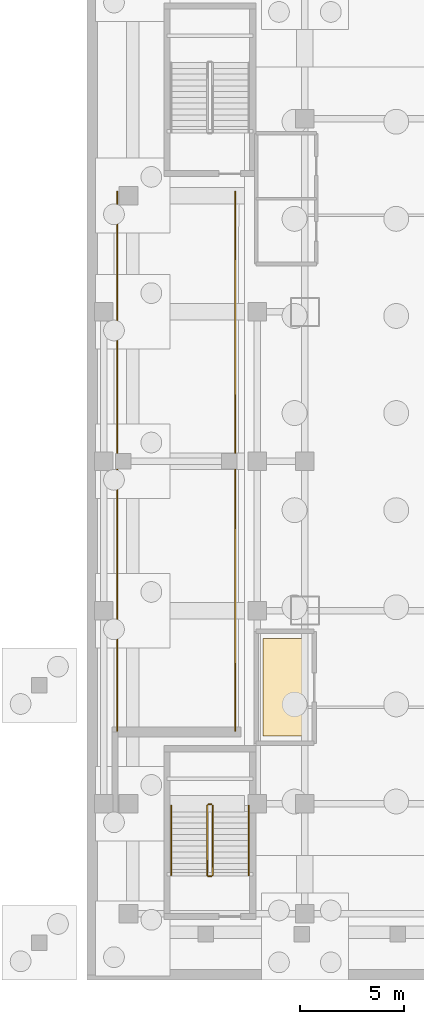
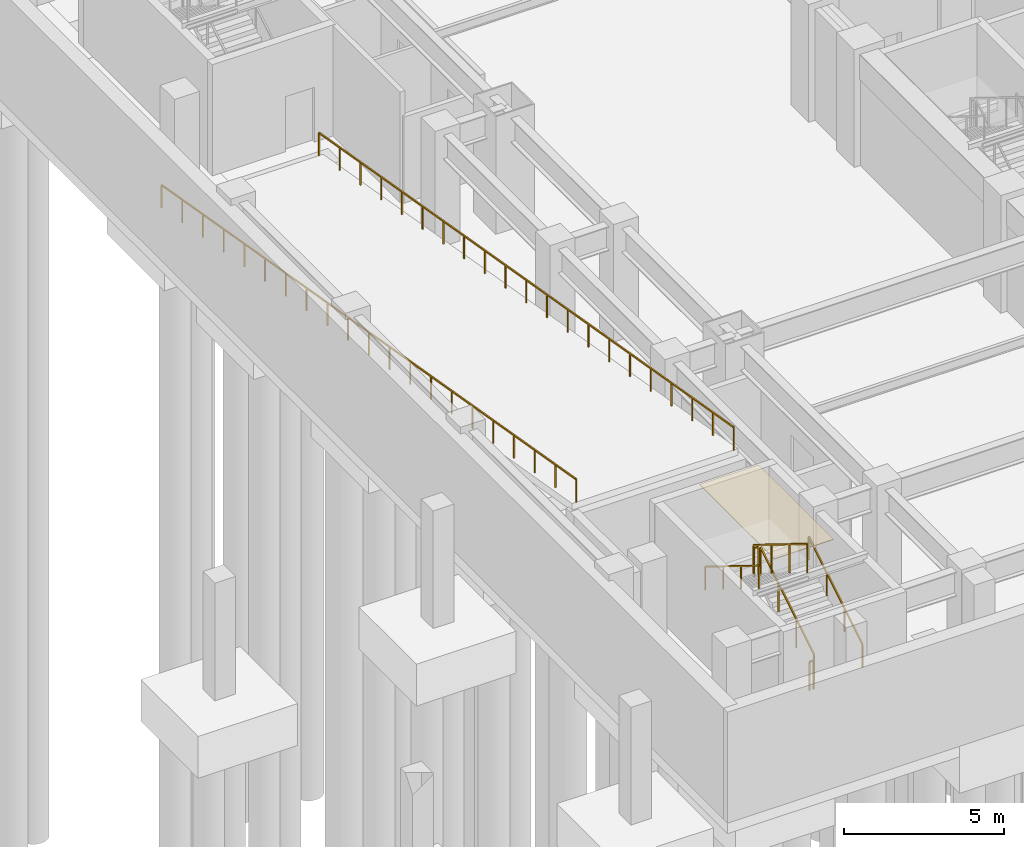
# One storey, part 8 of 12: 8 railings, 1 covering.
"""IFC4 building model written with IfcOpenShell, lengths in metres."""

from ifc_helpers import new_model, si_unit, direction, frame, origin, origin_2d, place, context, subcontext, project, spatial, polyline, rectangle, outline, extrude, material, layer, layer_set, type_object, element, save


model = new_model("IFC4")

# Units and contexts
model_context = context("Model", 3, precision=1e-05, world=origin(), true_north=direction((0.0, 1.0)))
body_context = subcontext(model_context, "Body", "Model", "MODEL_VIEW")
ifc_project = project(units=[si_unit("LENGTHUNIT", "METRE"), si_unit("AREAUNIT", "SQUARE_METRE"), si_unit("VOLUMEUNIT", "CUBIC_METRE"), si_unit("PLANEANGLEUNIT", "RADIAN"), si_unit("MASSUNIT", "GRAM", prefix="KILO")], contexts=[model_context])

# Site, building, storey
site_placement = place(None, origin())
site = spatial("IfcSite", under=ifc_project, at=site_placement, CompositionType="ELEMENT")
building_placement = place(site_placement, origin())
building = spatial("IfcBuilding", under=site, at=building_placement, Name="Vantalir Tower", CompositionType="ELEMENT")
storey_placement = place(building_placement, frame((0.0, 0.0, -9.0)))
storey = spatial("IfcBuildingStorey", under=building, at=storey_placement, Name="B02", CompositionType="ELEMENT", Elevation=-9.0)

# Covering
ifc_material_1 = material(Name="Tropical teak timber and terrazzo floor finish", Category="wood")
ifc_layer = layer(ifc_material_1, 0.02490234375)
ifc_layer_set = layer_set([ifc_layer], Name="Tropical teak timber and terrazzo floor finish")
covering_type = type_object("IfcCoveringType", Name="COV-TIMBER-STONE-25", PredefinedType="FLOORING", material=ifc_layer_set)
covering_placement = place(storey_placement, origin())
element("IfcCovering", 1, at=covering_placement, inside=storey, type_object=covering_type, Name="B02 Pump and Water Treatment Plant Floor Finish", PredefinedType="FLOORING", context=body_context, shape_type="SweptSolid", body=[
    extrude(outline(polyline([(10.6201171875, 16.449951171875), (8.47998046875, 16.449951171875), (8.47998046875, 11.75), (10.6201171875, 11.75), (10.6201171875, 16.449951171875)])), origin(), (0.0, 0.0, 1.0), 0.02490234375),
])

# Railings
ifc_material_2 = material(Name="Anodised aluminium and stainless steel guard", Category="steel")
railing_type_1 = type_object("IfcRailingType", Name="RAL-GUARD-1120", PredefinedType="GUARDRAIL", material=ifc_material_2)
railing_1_placement = place(storey_placement, frame((6.050048828125, 5.050048828125, 0.173095703125)))
element("IfcRailing", 2, at=railing_1_placement, inside=storey, type_object=railing_type_1, Name="B02 PST3 stair guard 1", PredefinedType="GUARDRAIL", context=body_context, shape_type="SweptSolid", body=[
    extrude(rectangle(XDim=0.048095703125, YDim=0.048095703125, at=origin_2d()), frame((0.0, 0.0, 1.09619140625), z_axis=(0.0, 0.850606129759, 0.525803396734), x_axis=(-1.0, 0.0, 0.0)), (0.0, 0.0, 1.0), 3.949951171875),
    extrude(rectangle(XDim=0.0419921875, YDim=0.0419921875, at=origin_2d()), origin(), (0.0, 0.0, 1.0), 1.072021484375),
    extrude(rectangle(XDim=0.0419921875, YDim=0.0419921875, at=origin_2d()), frame((0.0, 1.119873046875, 0.6923828125)), (0.0, 0.0, 1.0), 1.072021484375),
    extrude(rectangle(XDim=0.0419921875, YDim=0.0419921875, at=origin_2d()), frame((0.0, 2.239990234375, 1.384521484375)), (0.0, 0.0, 1.0), 1.072021484375),
    extrude(rectangle(XDim=0.0419921875, YDim=0.0419921875, at=origin_2d()), frame((0.0, 3.35986328125, 2.076904296875)), (0.0, 0.0, 1.0), 1.072021484375),
])
railing_2_placement = place(storey_placement, frame((6.0, 8.4599609375, 2.25)))
element("IfcRailing", 3, at=railing_2_placement, inside=storey, type_object=railing_type_1, Name="B02 PST3 stair guard 2", PredefinedType="GUARDRAIL", context=body_context, shape_type="SweptSolid", body=[
    extrude(rectangle(XDim=0.048095703125, YDim=0.048095703125, at=origin_2d()), frame((0.0, 0.0, 1.09619140625), z_axis=(-1.0, 0.0, 0.0), x_axis=(0.0, -1.0, 0.0)), (0.0, 0.0, 1.0), 0.14990234375),
    extrude(rectangle(XDim=0.0419921875, YDim=0.0419921875, at=origin_2d()), origin(), (0.0, 0.0, 1.0), 1.072021484375),
    extrude(rectangle(XDim=0.0419921875, YDim=0.0419921875, at=origin_2d()), frame((-0.14990234375, 0.0, 0.0)), (0.0, 0.0, 1.0), 1.072021484375),
])
railing_3_placement = place(storey_placement, frame((5.800048828125, 8.409912109375, 2.423095703125)))
element("IfcRailing", 4, at=railing_3_placement, inside=storey, type_object=railing_type_1, Name="B02 PST3 stair guard 3", PredefinedType="GUARDRAIL", context=body_context, shape_type="SweptSolid", body=[
    extrude(rectangle(XDim=0.048095703125, YDim=0.048095703125, at=origin_2d()), frame((0.0, 0.0, 1.09619140625), z_axis=(0.0, -0.850606129759, 0.525803396734), x_axis=(1.0, 0.0, 0.0)), (0.0, 0.0, 1.0), 3.949951171875),
    extrude(rectangle(XDim=0.0419921875, YDim=0.0419921875, at=origin_2d()), origin(), (0.0, 0.0, 1.0), 1.072021484375),
    extrude(rectangle(XDim=0.0419921875, YDim=0.0419921875, at=origin_2d()), frame((0.0, -1.119873046875, 0.6923828125)), (0.0, 0.0, 1.0), 1.072021484375),
    extrude(rectangle(XDim=0.0419921875, YDim=0.0419921875, at=origin_2d()), frame((0.0, -2.239990234375, 1.384521484375)), (0.0, 0.0, 1.0), 1.072021484375),
    extrude(rectangle(XDim=0.0419921875, YDim=0.0419921875, at=origin_2d()), frame((0.0, -3.35986328125, 2.076904296875)), (0.0, 0.0, 1.0), 1.072021484375),
])
railing_4_placement = place(storey_placement, frame((6.0, 5.0, 0.0)))
element("IfcRailing", 5, at=railing_4_placement, inside=storey, type_object=railing_type_1, Name="B02 PST3 stair guard 4", PredefinedType="GUARDRAIL", context=body_context, shape_type="SweptSolid", body=[
    extrude(rectangle(XDim=0.048095703125, YDim=0.048095703125, at=origin_2d()), frame((0.0, 0.0, 1.09619140625), z_axis=(-1.0, 0.0, 0.0), x_axis=(0.0, -1.0, 0.0)), (0.0, 0.0, 1.0), 0.14990234375),
    extrude(rectangle(XDim=0.0419921875, YDim=0.0419921875, at=origin_2d()), origin(), (0.0, 0.0, 1.0), 1.072021484375),
    extrude(rectangle(XDim=0.0419921875, YDim=0.0419921875, at=origin_2d()), frame((-0.14990234375, 0.0, 0.0)), (0.0, 0.0, 1.0), 1.072021484375),
])
ifc_material_3 = material(Name="Brushed stainless steel tubular handrail", Category="steel")
railing_type_2 = type_object("IfcRailingType", Name="RAL-HANDRAIL-900", PredefinedType="HANDRAIL", material=ifc_material_3)
railing_5_placement = place(storey_placement, frame((7.800048828125, 5.050048828125, 0.173095703125)))
element("IfcRailing", 6, at=railing_5_placement, inside=storey, type_object=railing_type_2, Name="B02 PST3 stair handrail 1", PredefinedType="HANDRAIL", context=body_context, shape_type="SweptSolid", body=[
    extrude(rectangle(XDim=0.048095703125, YDim=0.048095703125, at=origin_2d()), frame((0.0, 0.0, 0.8759765625), z_axis=(0.0, 0.850606129759, 0.525803396734), x_axis=(-1.0, 0.0, 0.0)), (0.0, 0.0, 1.0), 3.949951171875),
    extrude(rectangle(XDim=0.0419921875, YDim=0.0419921875, at=origin_2d()), origin(), (0.0, 0.0, 1.0), 0.851806640625),
    extrude(rectangle(XDim=0.0419921875, YDim=0.0419921875, at=origin_2d()), frame((0.0, 1.119873046875, 0.6923828125)), (0.0, 0.0, 1.0), 0.851806640625),
    extrude(rectangle(XDim=0.0419921875, YDim=0.0419921875, at=origin_2d()), frame((0.0, 2.239990234375, 1.384521484375)), (0.0, 0.0, 1.0), 0.851806640625),
    extrude(rectangle(XDim=0.0419921875, YDim=0.0419921875, at=origin_2d()), frame((0.0, 3.35986328125, 2.076904296875)), (0.0, 0.0, 1.0), 0.851806640625),
])
railing_6_placement = place(storey_placement, frame((4.050048828125, 8.409912109375, 2.423095703125)))
element("IfcRailing", 7, at=railing_6_placement, inside=storey, type_object=railing_type_2, Name="B02 PST3 stair handrail 2", PredefinedType="HANDRAIL", context=body_context, shape_type="SweptSolid", body=[
    extrude(rectangle(XDim=0.048095703125, YDim=0.048095703125, at=origin_2d()), frame((0.0, 0.0, 0.8759765625), z_axis=(0.0, -0.850606129759, 0.525803396734), x_axis=(1.0, 0.0, 0.0)), (0.0, 0.0, 1.0), 3.949951171875),
    extrude(rectangle(XDim=0.0419921875, YDim=0.0419921875, at=origin_2d()), origin(), (0.0, 0.0, 1.0), 0.851806640625),
    extrude(rectangle(XDim=0.0419921875, YDim=0.0419921875, at=origin_2d()), frame((0.0, -1.119873046875, 0.6923828125)), (0.0, 0.0, 1.0), 0.851806640625),
    extrude(rectangle(XDim=0.0419921875, YDim=0.0419921875, at=origin_2d()), frame((0.0, -2.239990234375, 1.384521484375)), (0.0, 0.0, 1.0), 0.851806640625),
    extrude(rectangle(XDim=0.0419921875, YDim=0.0419921875, at=origin_2d()), frame((0.0, -3.35986328125, 2.076904296875)), (0.0, 0.0, 1.0), 0.851806640625),
])
railing_7_placement = place(storey_placement, frame((1.449951171875, 37.9990234375, 0.0)))
element("IfcRailing", 8, at=railing_7_placement, inside=storey, type_object=railing_type_2, Name="Car Park Vehicle Ramp Slab VR-2 B02 to B01 Kerb Rail W", PredefinedType="HANDRAIL", context=body_context, shape_type="SweptSolid", body=[
    extrude(rectangle(XDim=0.048095703125, YDim=0.048095703125, at=origin_2d()), frame((0.0, 0.0, 0.8759765625), z_axis=(0.0, -0.985348352802, 0.170553873102), x_axis=(1.0, 0.0, 0.0)), (0.0, 0.0, 1.0), 26.384521484375),
    extrude(rectangle(XDim=0.0419921875, YDim=0.0419921875, at=origin_2d()), origin(), (0.0, 0.0, 1.0), 0.851806640625),
    extrude(rectangle(XDim=0.0419921875, YDim=0.0419921875, at=origin_2d()), frame((0.0, -1.2998046875, 0.22509765625)), (0.0, 0.0, 1.0), 0.851806640625),
    extrude(rectangle(XDim=0.0419921875, YDim=0.0419921875, at=origin_2d()), frame((0.0, -2.599853515625, 0.449951171875)), (0.0, 0.0, 1.0), 0.851806640625),
    extrude(rectangle(XDim=0.0419921875, YDim=0.0419921875, at=origin_2d()), frame((0.0, -3.899658203125, 0.675048828125)), (0.0, 0.0, 1.0), 0.851806640625),
    extrude(rectangle(XDim=0.0419921875, YDim=0.0419921875, at=origin_2d()), frame((0.0, -5.19970703125, 0.89990234375)), (0.0, 0.0, 1.0), 0.851806640625),
    extrude(rectangle(XDim=0.0419921875, YDim=0.0419921875, at=origin_2d()), frame((0.0, -6.49951171875, 1.125)), (0.0, 0.0, 1.0), 0.851806640625),
    extrude(rectangle(XDim=0.0419921875, YDim=0.0419921875, at=origin_2d()), frame((0.0, -7.79931640625, 1.35009765625)), (0.0, 0.0, 1.0), 0.851806640625),
    extrude(rectangle(XDim=0.0419921875, YDim=0.0419921875, at=origin_2d()), frame((0.0, -9.099365234375, 1.574951171875)), (0.0, 0.0, 1.0), 0.851806640625),
    extrude(rectangle(XDim=0.0419921875, YDim=0.0419921875, at=origin_2d()), frame((0.0, -10.399169921875, 1.800048828125)), (0.0, 0.0, 1.0), 0.851806640625),
    extrude(rectangle(XDim=0.0419921875, YDim=0.0419921875, at=origin_2d()), frame((0.0, -11.69921875, 2.02490234375)), (0.0, 0.0, 1.0), 0.851806640625),
    extrude(rectangle(XDim=0.0419921875, YDim=0.0419921875, at=origin_2d()), frame((0.0, -12.9990234375, 2.25)), (0.0, 0.0, 1.0), 0.851806640625),
    extrude(rectangle(XDim=0.0419921875, YDim=0.0419921875, at=origin_2d()), frame((0.0, -14.298828125, 2.47509765625)), (0.0, 0.0, 1.0), 0.851806640625),
    extrude(rectangle(XDim=0.0419921875, YDim=0.0419921875, at=origin_2d()), frame((0.0, -15.598876953125, 2.699951171875)), (0.0, 0.0, 1.0), 0.851806640625),
    extrude(rectangle(XDim=0.0419921875, YDim=0.0419921875, at=origin_2d()), frame((0.0, -16.898681640625, 2.925048828125)), (0.0, 0.0, 1.0), 0.851806640625),
    extrude(rectangle(XDim=0.0419921875, YDim=0.0419921875, at=origin_2d()), frame((0.0, -18.19873046875, 3.14990234375)), (0.0, 0.0, 1.0), 0.851806640625),
    extrude(rectangle(XDim=0.0419921875, YDim=0.0419921875, at=origin_2d()), frame((0.0, -19.49853515625, 3.375)), (0.0, 0.0, 1.0), 0.851806640625),
    extrude(rectangle(XDim=0.0419921875, YDim=0.0419921875, at=origin_2d()), frame((0.0, -20.79833984375, 3.60009765625)), (0.0, 0.0, 1.0), 0.851806640625),
    extrude(rectangle(XDim=0.0419921875, YDim=0.0419921875, at=origin_2d()), frame((0.0, -22.098388671875, 3.824951171875)), (0.0, 0.0, 1.0), 0.851806640625),
    extrude(rectangle(XDim=0.0419921875, YDim=0.0419921875, at=origin_2d()), frame((0.0, -23.398193359375, 4.050048828125)), (0.0, 0.0, 1.0), 0.851806640625),
    extrude(rectangle(XDim=0.0419921875, YDim=0.0419921875, at=origin_2d()), frame((0.0, -24.6982421875, 4.27490234375)), (0.0, 0.0, 1.0), 0.851806640625),
    extrude(rectangle(XDim=0.0419921875, YDim=0.0419921875, at=origin_2d()), frame((0.0, -25.998046875, 4.5)), (0.0, 0.0, 1.0), 0.851806640625),
])
railing_8_placement = place(storey_placement, frame((7.14990234375, 37.9990234375, 0.0)))
element("IfcRailing", 9, at=railing_8_placement, inside=storey, type_object=railing_type_2, Name="Car Park Vehicle Ramp Slab VR-2 B02 to B01 Kerb Rail E", PredefinedType="HANDRAIL", context=body_context, shape_type="SweptSolid", body=[
    extrude(rectangle(XDim=0.048095703125, YDim=0.048095703125, at=origin_2d()), frame((0.0, 0.0, 0.8759765625), z_axis=(0.0, -0.985348352802, 0.170553873102), x_axis=(1.0, 0.0, 0.0)), (0.0, 0.0, 1.0), 26.384521484375),
    extrude(rectangle(XDim=0.0419921875, YDim=0.0419921875, at=origin_2d()), origin(), (0.0, 0.0, 1.0), 0.851806640625),
    extrude(rectangle(XDim=0.0419921875, YDim=0.0419921875, at=origin_2d()), frame((0.0, -1.2998046875, 0.22509765625)), (0.0, 0.0, 1.0), 0.851806640625),
    extrude(rectangle(XDim=0.0419921875, YDim=0.0419921875, at=origin_2d()), frame((0.0, -2.599853515625, 0.449951171875)), (0.0, 0.0, 1.0), 0.851806640625),
    extrude(rectangle(XDim=0.0419921875, YDim=0.0419921875, at=origin_2d()), frame((0.0, -3.899658203125, 0.675048828125)), (0.0, 0.0, 1.0), 0.851806640625),
    extrude(rectangle(XDim=0.0419921875, YDim=0.0419921875, at=origin_2d()), frame((0.0, -5.19970703125, 0.89990234375)), (0.0, 0.0, 1.0), 0.851806640625),
    extrude(rectangle(XDim=0.0419921875, YDim=0.0419921875, at=origin_2d()), frame((0.0, -6.49951171875, 1.125)), (0.0, 0.0, 1.0), 0.851806640625),
    extrude(rectangle(XDim=0.0419921875, YDim=0.0419921875, at=origin_2d()), frame((0.0, -7.79931640625, 1.35009765625)), (0.0, 0.0, 1.0), 0.851806640625),
    extrude(rectangle(XDim=0.0419921875, YDim=0.0419921875, at=origin_2d()), frame((0.0, -9.099365234375, 1.574951171875)), (0.0, 0.0, 1.0), 0.851806640625),
    extrude(rectangle(XDim=0.0419921875, YDim=0.0419921875, at=origin_2d()), frame((0.0, -10.399169921875, 1.800048828125)), (0.0, 0.0, 1.0), 0.851806640625),
    extrude(rectangle(XDim=0.0419921875, YDim=0.0419921875, at=origin_2d()), frame((0.0, -11.69921875, 2.02490234375)), (0.0, 0.0, 1.0), 0.851806640625),
    extrude(rectangle(XDim=0.0419921875, YDim=0.0419921875, at=origin_2d()), frame((0.0, -12.9990234375, 2.25)), (0.0, 0.0, 1.0), 0.851806640625),
    extrude(rectangle(XDim=0.0419921875, YDim=0.0419921875, at=origin_2d()), frame((0.0, -14.298828125, 2.47509765625)), (0.0, 0.0, 1.0), 0.851806640625),
    extrude(rectangle(XDim=0.0419921875, YDim=0.0419921875, at=origin_2d()), frame((0.0, -15.598876953125, 2.699951171875)), (0.0, 0.0, 1.0), 0.851806640625),
    extrude(rectangle(XDim=0.0419921875, YDim=0.0419921875, at=origin_2d()), frame((0.0, -16.898681640625, 2.925048828125)), (0.0, 0.0, 1.0), 0.851806640625),
    extrude(rectangle(XDim=0.0419921875, YDim=0.0419921875, at=origin_2d()), frame((0.0, -18.19873046875, 3.14990234375)), (0.0, 0.0, 1.0), 0.851806640625),
    extrude(rectangle(XDim=0.0419921875, YDim=0.0419921875, at=origin_2d()), frame((0.0, -19.49853515625, 3.375)), (0.0, 0.0, 1.0), 0.851806640625),
    extrude(rectangle(XDim=0.0419921875, YDim=0.0419921875, at=origin_2d()), frame((0.0, -20.79833984375, 3.60009765625)), (0.0, 0.0, 1.0), 0.851806640625),
    extrude(rectangle(XDim=0.0419921875, YDim=0.0419921875, at=origin_2d()), frame((0.0, -22.098388671875, 3.824951171875)), (0.0, 0.0, 1.0), 0.851806640625),
    extrude(rectangle(XDim=0.0419921875, YDim=0.0419921875, at=origin_2d()), frame((0.0, -23.398193359375, 4.050048828125)), (0.0, 0.0, 1.0), 0.851806640625),
    extrude(rectangle(XDim=0.0419921875, YDim=0.0419921875, at=origin_2d()), frame((0.0, -24.6982421875, 4.27490234375)), (0.0, 0.0, 1.0), 0.851806640625),
    extrude(rectangle(XDim=0.0419921875, YDim=0.0419921875, at=origin_2d()), frame((0.0, -25.998046875, 4.5)), (0.0, 0.0, 1.0), 0.851806640625),
])

save(model, "model.ifc")
